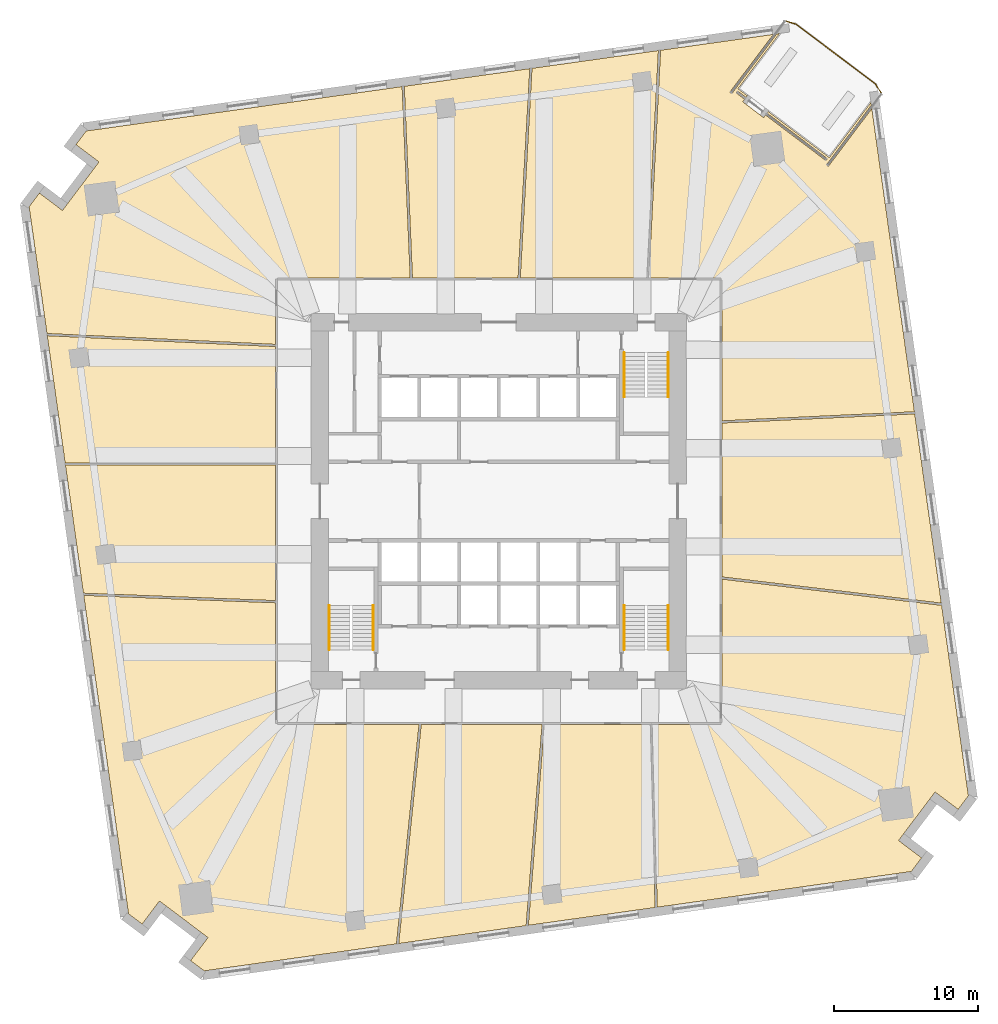
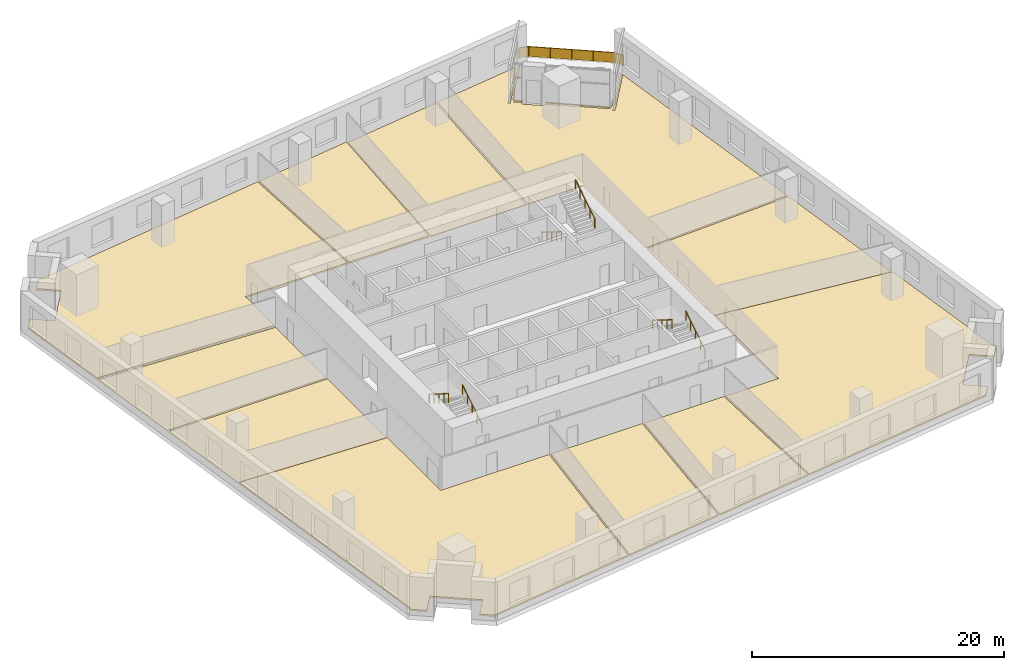
# One storey, part 11 of 12: 11 coverings, 7 railings.
"""IFC4 building model written with IfcOpenShell, lengths in metres."""

from ifc_helpers import new_model, si_unit, direction, frame, origin, origin_2d, place, context, subcontext, project, spatial, polyline, rectangle, circle, outline, extrude, material, layer, layer_set, type_object, element, save


model = new_model("IFC4")

# Units and contexts
model_context = context("Model", 3, precision=1e-05, world=origin(), true_north=direction((0.0, 1.0)))
body_context = subcontext(model_context, "Body", "Model", "MODEL_VIEW")
ifc_project = project(units=[si_unit("LENGTHUNIT", "METRE"), si_unit("AREAUNIT", "SQUARE_METRE"), si_unit("VOLUMEUNIT", "CUBIC_METRE"), si_unit("PLANEANGLEUNIT", "RADIAN"), si_unit("MASSUNIT", "GRAM", prefix="KILO")], contexts=[model_context])

# Site, building, storey
site_placement = place(None, origin())
site = spatial("IfcSite", under=ifc_project, at=site_placement, CompositionType="ELEMENT")
building_placement = place(site_placement, origin())
building = spatial("IfcBuilding", under=site, at=building_placement, Name="Dilmun Exchange Tower", CompositionType="ELEMENT")
storey_placement = place(building_placement, frame((0.0, 0.0, 55.5)))
storey = spatial("IfcBuildingStorey", under=building, at=storey_placement, Name="L12", CompositionType="ELEMENT", Elevation=55.5)

# Coverings
ifc_material_1 = material(Name="Carpet floor finish 50")
ifc_layer_1 = layer(ifc_material_1, 0.050048828125)
ifc_layer_set_1 = layer_set([ifc_layer_1], Name="Carpet floor finish 50")
covering_type_1 = type_object("IfcCoveringType", Name="Carpet floor finish 50", PredefinedType="FLOORING", material=ifc_layer_set_1)
covering_1_placement = place(storey_placement, origin())
element("IfcCovering", 1, at=covering_1_placement, inside=storey, type_object=covering_type_1, Name="Carpet floor finish 50 Settlement office", PredefinedType="FLOORING", context=body_context, shape_type="SweptSolid", body=[
    extrude(outline(polyline([(-15.47509765625, 10.721923828125), (-15.47509765625, 2.64697265625), (-30.0595703125, 2.651611328125), (-31.299560546875, 11.474609375), (-15.47509765625, 10.721923828125)])), origin(), (0.0, 0.0, 1.0), 0.050048828125),
])
covering_2_placement = place(storey_placement, origin())
element("IfcCovering", 2, at=covering_2_placement, inside=storey, type_object=covering_type_1, Name="Carpet floor finish 50 Broker office", PredefinedType="FLOORING", context=body_context, shape_type="SweptSolid", body=[
    extrude(outline(polyline([(-15.47509765625, 2.4970703125), (-15.47509765625, -6.889892578125), (-28.791015625, -6.373779296875), (-30.03857421875, 2.50146484375), (-15.47509765625, 2.4970703125)])), origin(), (0.0, 0.0, 1.0), 0.050048828125),
])
covering_3_placement = place(storey_placement, origin())
element("IfcCovering", 3, at=covering_3_placement, inside=storey, type_object=covering_type_1, Name="Carpet floor finish 50 Clearing office 1", PredefinedType="FLOORING", context=body_context, shape_type="SweptSolid", body=[
    extrude(outline(polyline([(1.488525390625, 15.47509765625), (2.30322265625, 30.010498046875), (11.066650390625, 31.2421875), (10.24658203125, 15.47509765625), (1.488525390625, 15.47509765625)])), origin(), (0.0, 0.0, 1.0), 0.050048828125),
])
covering_4_placement = place(storey_placement, origin())
element("IfcCovering", 4, at=covering_4_placement, inside=storey, type_object=covering_type_1, Name="Carpet floor finish 50 Garden lounge", PredefinedType="FLOORING", context=body_context, shape_type="SweptSolid", body=[
    extrude(outline(polyline([(16.583251953125, 28.593505859375), (17.231689453125, 28.104736328125), (17.145751953125, 27.990478515625), (16.556884765625, 28.43408203125), (16.556884765625, 28.434326171875), (16.556640625, 28.434326171875), (16.556396484375, 28.4345703125), (16.556396484375, 28.4345703125), (16.55615234375, 28.4345703125), (16.555908203125, 28.4345703125), (16.555908203125, 28.4345703125), (16.5556640625, 28.4345703125), (16.555419921875, 28.4345703125), (16.55517578125, 28.4345703125), (16.554931640625, 28.434326171875), (16.5546875, 28.434326171875), (16.5546875, 28.43408203125), (16.554443359375, 28.43408203125), (16.554443359375, 28.433837890625), (16.55419921875, 28.433837890625), (16.4580078125, 28.305908203125), (16.457763671875, 28.305908203125), (16.457763671875, 28.3056640625), (16.457763671875, 28.305419921875), (16.45751953125, 28.305419921875), (16.45751953125, 28.30517578125), (16.45751953125, 28.304931640625), (16.45751953125, 28.3046875), (16.45751953125, 28.304443359375), (16.45751953125, 28.30419921875), (16.457763671875, 28.30419921875), (16.457763671875, 28.303955078125), (16.457763671875, 28.3037109375), (16.4580078125, 28.3037109375), (16.4580078125, 28.303466796875), (16.458251953125, 28.30322265625), (16.45849609375, 28.30322265625), (17.047119140625, 27.859619140625), (16.916015625, 27.685546875), (16.915771484375, 27.685302734375), (16.915771484375, 27.685302734375), (16.91552734375, 27.68505859375), (16.91552734375, 27.684814453125), (16.91552734375, 27.6845703125), (16.91552734375, 27.684326171875), (16.91552734375, 27.68408203125), (16.91552734375, 27.68408203125), (16.91552734375, 27.683837890625), (16.91552734375, 27.68359375), (16.91552734375, 27.68359375), (16.915771484375, 27.683349609375), (16.915771484375, 27.68310546875), (16.916015625, 27.68310546875), (16.916015625, 27.682861328125), (16.916259765625, 27.6826171875), (18.353759765625, 26.599609375), (18.35400390625, 26.599365234375), (18.35400390625, 26.599365234375), (18.354248046875, 26.59912109375), (18.3544921875, 26.59912109375), (18.354736328125, 26.59912109375), (18.354736328125, 26.59912109375), (18.35498046875, 26.59912109375), (18.355224609375, 26.59912109375), (18.35546875, 26.59912109375), (18.355712890625, 26.59912109375), (18.355712890625, 26.599365234375), (18.35595703125, 26.599365234375), (18.356201171875, 26.599609375), (18.356201171875, 26.599609375), (18.3564453125, 26.599853515625), (18.356689453125, 26.599853515625), (18.48779296875, 26.77392578125), (22.67041015625, 23.622314453125), (22.67041015625, 23.6220703125), (22.670654296875, 23.6220703125), (22.6708984375, 23.621826171875), (22.6708984375, 23.621826171875), (22.671142578125, 23.621826171875), (22.67138671875, 23.621826171875), (22.67138671875, 23.621826171875), (22.671630859375, 23.621826171875), (22.671875, 23.621826171875), (22.672119140625, 23.621826171875), (22.67236328125, 23.6220703125), (22.672607421875, 23.6220703125), (22.672607421875, 23.622314453125), (22.6728515625, 23.622314453125), (22.6728515625, 23.62255859375), (22.673095703125, 23.62255859375), (22.769287109375, 23.75048828125), (22.76953125, 23.75048828125), (22.76953125, 23.750732421875), (22.76953125, 23.7509765625), (22.769775390625, 23.751220703125), (22.769775390625, 23.751220703125), (22.769775390625, 23.75146484375), (22.769775390625, 23.751708984375), (22.769775390625, 23.751953125), (22.769775390625, 23.752197265625), (22.76953125, 23.752197265625), (22.76953125, 23.75244140625), (22.76953125, 23.752685546875), (22.769287109375, 23.752685546875), (22.769287109375, 23.7529296875), (22.76904296875, 23.753173828125), (22.768798828125, 23.753173828125), (18.58642578125, 26.905029296875), (18.672607421875, 27.019287109375), (22.914794921875, 23.822265625), (25.80078125, 27.65185546875), (25.828857421875, 27.451416015625), (22.713134765625, 23.31689453125), (22.713134765625, 23.31689453125), (22.712890625, 23.316650390625), (22.712890625, 23.31640625), (22.712890625, 23.316162109375), (22.712890625, 23.316162109375), (22.712890625, 23.31591796875), (22.712890625, 23.315673828125), (22.712890625, 23.3154296875), (22.712890625, 23.315185546875), (22.712890625, 23.315185546875), (22.712890625, 23.31494140625), (22.713134765625, 23.314697265625), (22.713134765625, 23.314697265625), (22.71337890625, 23.314453125), (22.71337890625, 23.314208984375), (22.713623046875, 23.314208984375), (22.84130859375, 23.218017578125), (22.841552734375, 23.2177734375), (22.841796875, 23.2177734375), (22.841796875, 23.217529296875), (22.842041015625, 23.217529296875), (22.84228515625, 23.217529296875), (22.842529296875, 23.217529296875), (22.8427734375, 23.217529296875), (22.843017578125, 23.217529296875), (22.843017578125, 23.217529296875), (22.84326171875, 23.217529296875), (22.843505859375, 23.217529296875), (22.843505859375, 23.2177734375), (22.84375, 23.2177734375), (22.843994140625, 23.218017578125), (22.843994140625, 23.218017578125), (22.84423828125, 23.21826171875), (25.861083984375, 27.2216796875), (28.815185546875, 6.2021484375), (15.47509765625, 5.57177734375), (15.47509765625, 15.47509765625), (10.396728515625, 15.47509765625), (11.218017578125, 31.263427734375), (19.0390625, 32.36279296875), (16.022216796875, 28.35888671875), (16.02197265625, 28.35888671875), (16.02197265625, 28.358642578125), (16.021728515625, 28.3583984375), (16.021728515625, 28.3583984375), (16.021728515625, 28.358154296875), (16.021728515625, 28.35791015625), (16.021728515625, 28.35791015625), (16.021728515625, 28.357666015625), (16.021728515625, 28.357421875), (16.021728515625, 28.357177734375), (16.02197265625, 28.35693359375), (16.02197265625, 28.356689453125), (16.022216796875, 28.356689453125), (16.022216796875, 28.3564453125), (16.0224609375, 28.3564453125), (16.0224609375, 28.356201171875), (16.150390625, 28.260009765625), (16.150390625, 28.259765625), (16.150634765625, 28.259765625), (16.15087890625, 28.259765625), (16.15087890625, 28.259521484375), (16.151123046875, 28.259521484375), (16.1513671875, 28.259521484375), (16.151611328125, 28.259521484375), (16.15185546875, 28.259521484375), (16.152099609375, 28.259521484375), (16.152099609375, 28.259765625), (16.15234375, 28.259765625), (16.152587890625, 28.259765625), (16.152587890625, 28.260009765625), (16.15283203125, 28.260009765625), (16.153076171875, 28.26025390625), (16.153076171875, 28.260498046875), (19.268798828125, 32.39501953125), (19.468994140625, 32.423095703125), (16.583251953125, 28.593505859375)])), origin(), (0.0, 0.0, 1.0), 0.050048828125),
])
covering_5_placement = place(storey_placement, origin())
element("IfcCovering", 5, at=covering_5_placement, inside=storey, type_object=covering_type_1, Name="Carpet floor finish 50 Clearing office 2", PredefinedType="FLOORING", context=body_context, shape_type="SweptSolid", body=[
    extrude(outline(polyline([(15.47509765625, -5.24755859375), (15.47509765625, 5.421630859375), (28.836181640625, 6.052978515625), (30.679443359375, -7.06298828125), (15.47509765625, -5.24755859375)])), origin(), (0.0, 0.0, 1.0), 0.050048828125),
])
ifc_material_2 = material(Name="Raised access floor 150")
ifc_layer_2 = layer(ifc_material_2, 0.14990234375)
ifc_layer_set_2 = layer_set([ifc_layer_2], Name="Raised access floor 150")
covering_type_2 = type_object("IfcCoveringType", Name="Raised access floor 150", PredefinedType="FLOORING", material=ifc_layer_set_2)
covering_6_placement = place(storey_placement, origin())
element("IfcCovering", 6, at=covering_6_placement, inside=storey, type_object=covering_type_2, Name="Raised access floor 150 Market operations room 1", PredefinedType="FLOORING", context=body_context, shape_type="SweptSolid", body=[
    extrude(outline(polyline([(-6.13525390625, 15.47509765625), (-15.47509765625, 15.47509765625), (-15.47509765625, 10.8720703125), (-31.32080078125, 11.625732421875), (-32.556396484375, 20.41845703125), (-31.843994140625, 21.364013671875), (-30.248291015625, 20.16162109375), (-30.248046875, 20.16162109375), (-30.247802734375, 20.161376953125), (-30.24755859375, 20.161376953125), (-30.247314453125, 20.161376953125), (-30.247314453125, 20.1611328125), (-30.2470703125, 20.1611328125), (-30.246826171875, 20.1611328125), (-30.24658203125, 20.1611328125), (-30.24658203125, 20.161376953125), (-30.246337890625, 20.161376953125), (-30.24609375, 20.161376953125), (-30.245849609375, 20.16162109375), (-30.245849609375, 20.16162109375), (-30.24560546875, 20.16162109375), (-30.24560546875, 20.161865234375), (-30.245361328125, 20.162109375), (-29.88427734375, 20.64111328125), (-29.884033203125, 20.641357421875), (-29.884033203125, 20.6416015625), (-29.884033203125, 20.6416015625), (-29.884033203125, 20.6416015625), (-28.078857421875, 23.037109375), (-28.07861328125, 23.037353515625), (-27.7177734375, 23.516357421875), (-27.717529296875, 23.516357421875), (-27.717529296875, 23.5166015625), (-27.717529296875, 23.516845703125), (-27.71728515625, 23.51708984375), (-27.71728515625, 23.51708984375), (-27.71728515625, 23.517333984375), (-27.71728515625, 23.517578125), (-27.71728515625, 23.517822265625), (-27.71728515625, 23.51806640625), (-27.717529296875, 23.51806640625), (-27.717529296875, 23.518310546875), (-27.717529296875, 23.5185546875), (-27.7177734375, 23.518798828125), (-27.718017578125, 23.518798828125), (-27.718017578125, 23.51904296875), (-27.718017578125, 23.51904296875), (-29.313720703125, 24.7216796875), (-28.601318359375, 25.667236328125), (-6.699951171875, 28.745361328125), (-6.13525390625, 15.47509765625)])), origin(), (0.0, 0.0, 1.0), 0.14990234375),
])
covering_7_placement = place(storey_placement, origin())
element("IfcCovering", 7, at=covering_7_placement, inside=storey, type_object=covering_type_2, Name="Raised access floor 150 Market operations room 2", PredefinedType="FLOORING", context=body_context, shape_type="SweptSolid", body=[
    extrude(outline(polyline([(-15.47509765625, -7.0400390625), (-15.47509765625, -15.47509765625), (-5.526123046875, -15.47509765625), (-7.09130859375, -30.68359375), (-20.41845703125, -32.556396484375), (-21.364013671875, -31.843994140625), (-20.16162109375, -30.248291015625), (-20.16162109375, -30.248046875), (-20.161376953125, -30.247802734375), (-20.161376953125, -30.24755859375), (-20.161376953125, -30.247314453125), (-20.1611328125, -30.247314453125), (-20.1611328125, -30.2470703125), (-20.1611328125, -30.246826171875), (-20.1611328125, -30.24658203125), (-20.161376953125, -30.24658203125), (-20.161376953125, -30.246337890625), (-20.161376953125, -30.24609375), (-20.16162109375, -30.245849609375), (-20.16162109375, -30.245849609375), (-20.16162109375, -30.24560546875), (-20.161865234375, -30.24560546875), (-20.162109375, -30.245361328125), (-20.64111328125, -29.88427734375), (-20.641357421875, -29.884033203125), (-20.6416015625, -29.884033203125), (-20.6416015625, -29.884033203125), (-20.6416015625, -29.884033203125), (-23.037109375, -28.078857421875), (-23.037353515625, -28.07861328125), (-23.516357421875, -27.7177734375), (-23.516357421875, -27.717529296875), (-23.5166015625, -27.717529296875), (-23.516845703125, -27.717529296875), (-23.51708984375, -27.71728515625), (-23.51708984375, -27.71728515625), (-23.517333984375, -27.71728515625), (-23.517578125, -27.71728515625), (-23.517822265625, -27.71728515625), (-23.51806640625, -27.71728515625), (-23.51806640625, -27.717529296875), (-23.518310546875, -27.717529296875), (-23.5185546875, -27.717529296875), (-23.518798828125, -27.7177734375), (-23.518798828125, -27.718017578125), (-23.51904296875, -27.718017578125), (-23.51904296875, -27.718017578125), (-24.7216796875, -29.313720703125), (-25.667236328125, -28.601318359375), (-28.77001953125, -6.524658203125), (-15.47509765625, -7.0400390625)])), origin(), (0.0, 0.0, 1.0), 0.14990234375),
])
covering_8_placement = place(storey_placement, origin())
element("IfcCovering", 8, at=covering_8_placement, inside=storey, type_object=covering_type_2, Name="Raised access floor 150 Control room", PredefinedType="FLOORING", context=body_context, shape_type="SweptSolid", body=[
    extrude(outline(polyline([(1.33837890625, 15.47509765625), (-5.985107421875, 15.47509765625), (-6.55078125, 28.76611328125), (2.15185546875, 29.9892578125), (1.33837890625, 15.47509765625)])), origin(), (0.0, 0.0, 1.0), 0.14990234375),
])
covering_9_placement = place(storey_placement, origin())
element("IfcCovering", 9, at=covering_9_placement, inside=storey, type_object=covering_type_2, Name="Raised access floor 150 Data room 1", PredefinedType="FLOORING", context=body_context, shape_type="SweptSolid", body=[
    extrude(outline(polyline([(-5.375244140625, -15.47509765625), (3.004150390625, -15.47509765625), (1.896728515625, -29.42041015625), (-6.9384765625, -30.662109375), (-5.375244140625, -15.47509765625)])), origin(), (0.0, 0.0, 1.0), 0.14990234375),
])
covering_10_placement = place(storey_placement, origin())
element("IfcCovering", 10, at=covering_10_placement, inside=storey, type_object=covering_type_2, Name="Raised access floor 150 Data room 2", PredefinedType="FLOORING", context=body_context, shape_type="SweptSolid", body=[
    extrude(outline(polyline([(3.15478515625, -15.47509765625), (10.491455078125, -15.47509765625), (10.8359375, -28.1640625), (2.049072265625, -29.39892578125), (3.15478515625, -15.47509765625)])), origin(), (0.0, 0.0, 1.0), 0.14990234375),
])
covering_11_placement = place(storey_placement, origin())
element("IfcCovering", 11, at=covering_11_placement, inside=storey, type_object=covering_type_2, Name="Raised access floor 150 Market operations room 3", PredefinedType="FLOORING", context=body_context, shape_type="SweptSolid", body=[
    extrude(outline(polyline([(10.641357421875, -15.47509765625), (15.47509765625, -15.47509765625), (15.47509765625, -5.398681640625), (30.701171875, -7.216552734375), (32.556396484375, -20.41845703125), (31.843994140625, -21.364013671875), (30.248291015625, -20.16162109375), (30.248046875, -20.16162109375), (30.247802734375, -20.161376953125), (30.24755859375, -20.161376953125), (30.247314453125, -20.161376953125), (30.247314453125, -20.1611328125), (30.2470703125, -20.1611328125), (30.246826171875, -20.1611328125), (30.24658203125, -20.1611328125), (30.24658203125, -20.161376953125), (30.246337890625, -20.161376953125), (30.24609375, -20.161376953125), (30.245849609375, -20.16162109375), (30.245849609375, -20.16162109375), (30.24560546875, -20.16162109375), (30.24560546875, -20.161865234375), (30.245361328125, -20.162109375), (29.88427734375, -20.64111328125), (29.884033203125, -20.641357421875), (29.884033203125, -20.6416015625), (29.884033203125, -20.6416015625), (29.884033203125, -20.6416015625), (28.078857421875, -23.037109375), (28.07861328125, -23.037353515625), (27.7177734375, -23.516357421875), (27.717529296875, -23.516357421875), (27.717529296875, -23.5166015625), (27.717529296875, -23.516845703125), (27.71728515625, -23.51708984375), (27.71728515625, -23.51708984375), (27.71728515625, -23.517333984375), (27.71728515625, -23.517578125), (27.71728515625, -23.517822265625), (27.71728515625, -23.51806640625), (27.717529296875, -23.51806640625), (27.717529296875, -23.518310546875), (27.717529296875, -23.5185546875), (27.7177734375, -23.518798828125), (27.718017578125, -23.518798828125), (27.718017578125, -23.51904296875), (27.718017578125, -23.51904296875), (29.313720703125, -24.7216796875), (28.601318359375, -25.667236328125), (10.985595703125, -28.14306640625), (10.641357421875, -15.47509765625)])), origin(), (0.0, 0.0, 1.0), 0.14990234375),
])

# Railings
ifc_material_3 = material(Name="Stainless steel", Category="steel")
railing_type_1 = type_object("IfcRailingType", Name="Stair handrail 900", PredefinedType="HANDRAIL", material=ifc_material_3)
railing_1_placement = place(storey_placement, frame((8.699951171875, 10.300048828125, 0.175048828125)))
element("IfcRailing", 12, at=railing_1_placement, inside=storey, type_object=railing_type_1, Name="L12 ST1 stair handrail 1", PredefinedType="HANDRAIL", context=body_context, shape_type="SweptSolid", body=[
    extrude(circle(Radius=0.02392578125, at=origin_2d()), frame((0.0, 0.0, 0.8759765625), z_axis=(0.0, -0.847998304005, 0.529998940003), x_axis=(1.0, 0.0, 0.0)), (0.0, 0.0, 1.0), 3.632080078125),
    extrude(circle(Radius=0.02099609375, at=origin_2d()), origin(), (0.0, 0.0, 1.0), 0.851806640625),
    extrude(circle(Radius=0.02099609375, at=origin_2d()), frame((0.0, -0.77001953125, 0.481201171875)), (0.0, 0.0, 1.0), 0.851806640625),
    extrude(circle(Radius=0.02099609375, at=origin_2d()), frame((0.0, -1.5400390625, 0.96240234375)), (0.0, 0.0, 1.0), 0.851806640625),
    extrude(circle(Radius=0.02099609375, at=origin_2d()), frame((0.0, -2.31005859375, 1.44384765625)), (0.0, 0.0, 1.0), 0.851806640625),
    extrude(circle(Radius=0.02099609375, at=origin_2d()), frame((0.0, -3.080078125, 1.925048828125)), (0.0, 0.0, 1.0), 0.851806640625),
])
for number, where, name in (
    (13, (11.75, 7.219970703125, 2.27490234375), "L12 ST1 stair handrail 2"),
    (14, (-8.699951171875, -10.300048828125, 0.175048828125), "L12 ST2 stair handrail 1"),
):
    element("IfcRailing", number, at=place(storey_placement, frame(where)), inside=storey, type_object=railing_type_1, Name=name, PredefinedType="HANDRAIL", context=body_context, shape_type="SweptSolid", body=[
        extrude(circle(Radius=0.02392578125, at=origin_2d()), frame((0.0, 0.0, 0.8759765625), z_axis=(0.0, 0.847998304005, 0.529998940003), x_axis=(-1.0, 0.0, 0.0)), (0.0, 0.0, 1.0), 3.632080078125),
        extrude(circle(Radius=0.02099609375, at=origin_2d()), origin(), (0.0, 0.0, 1.0), 0.851806640625),
        extrude(circle(Radius=0.02099609375, at=origin_2d()), frame((0.0, 0.77001953125, 0.481201171875)), (0.0, 0.0, 1.0), 0.851806640625),
        extrude(circle(Radius=0.02099609375, at=origin_2d()), frame((0.0, 1.5400390625, 0.96240234375)), (0.0, 0.0, 1.0), 0.851806640625),
        extrude(circle(Radius=0.02099609375, at=origin_2d()), frame((0.0, 2.31005859375, 1.44384765625)), (0.0, 0.0, 1.0), 0.851806640625),
        extrude(circle(Radius=0.02099609375, at=origin_2d()), frame((0.0, 3.080078125, 1.925048828125)), (0.0, 0.0, 1.0), 0.851806640625),
    ])
railing_2_placement = place(storey_placement, frame((-11.75, -7.219970703125, 2.27490234375)))
element("IfcRailing", 15, at=railing_2_placement, inside=storey, type_object=railing_type_1, Name="L12 ST2 stair handrail 2", PredefinedType="HANDRAIL", context=body_context, shape_type="SweptSolid", body=[
    extrude(circle(Radius=0.02392578125, at=origin_2d()), frame((0.0, 0.0, 0.8759765625), z_axis=(0.0, -0.847998304005, 0.529998940003), x_axis=(1.0, 0.0, 0.0)), (0.0, 0.0, 1.0), 3.632080078125),
    extrude(circle(Radius=0.02099609375, at=origin_2d()), origin(), (0.0, 0.0, 1.0), 0.851806640625),
    extrude(circle(Radius=0.02099609375, at=origin_2d()), frame((0.0, -0.77001953125, 0.481201171875)), (0.0, 0.0, 1.0), 0.851806640625),
    extrude(circle(Radius=0.02099609375, at=origin_2d()), frame((0.0, -1.5400390625, 0.96240234375)), (0.0, 0.0, 1.0), 0.851806640625),
    extrude(circle(Radius=0.02099609375, at=origin_2d()), frame((0.0, -2.31005859375, 1.44384765625)), (0.0, 0.0, 1.0), 0.851806640625),
    extrude(circle(Radius=0.02099609375, at=origin_2d()), frame((0.0, -3.080078125, 1.925048828125)), (0.0, 0.0, 1.0), 0.851806640625),
])
railing_3_placement = place(storey_placement, frame((11.75, -10.300048828125, 0.175048828125)))
element("IfcRailing", 16, at=railing_3_placement, inside=storey, type_object=railing_type_1, Name="L12 ST3 stair handrail 1", PredefinedType="HANDRAIL", context=body_context, shape_type="SweptSolid", body=[
    extrude(circle(Radius=0.02392578125, at=origin_2d()), frame((0.0, 0.0, 0.8759765625), z_axis=(0.0, 0.847998304005, 0.529998940003), x_axis=(-1.0, 0.0, 0.0)), (0.0, 0.0, 1.0), 3.632080078125),
    extrude(circle(Radius=0.02099609375, at=origin_2d()), origin(), (0.0, 0.0, 1.0), 0.851806640625),
    extrude(circle(Radius=0.02099609375, at=origin_2d()), frame((0.0, 0.77001953125, 0.481201171875)), (0.0, 0.0, 1.0), 0.851806640625),
    extrude(circle(Radius=0.02099609375, at=origin_2d()), frame((0.0, 1.5400390625, 0.96240234375)), (0.0, 0.0, 1.0), 0.851806640625),
    extrude(circle(Radius=0.02099609375, at=origin_2d()), frame((0.0, 2.31005859375, 1.44384765625)), (0.0, 0.0, 1.0), 0.851806640625),
    extrude(circle(Radius=0.02099609375, at=origin_2d()), frame((0.0, 3.080078125, 1.925048828125)), (0.0, 0.0, 1.0), 0.851806640625),
])
railing_4_placement = place(storey_placement, frame((8.699951171875, -7.219970703125, 2.27490234375)))
element("IfcRailing", 17, at=railing_4_placement, inside=storey, type_object=railing_type_1, Name="L12 ST3 stair handrail 2", PredefinedType="HANDRAIL", context=body_context, shape_type="SweptSolid", body=[
    extrude(circle(Radius=0.02392578125, at=origin_2d()), frame((0.0, 0.0, 0.8759765625), z_axis=(0.0, -0.847998304005, 0.529998940003), x_axis=(1.0, 0.0, 0.0)), (0.0, 0.0, 1.0), 3.632080078125),
    extrude(circle(Radius=0.02099609375, at=origin_2d()), origin(), (0.0, 0.0, 1.0), 0.851806640625),
    extrude(circle(Radius=0.02099609375, at=origin_2d()), frame((0.0, -0.77001953125, 0.481201171875)), (0.0, 0.0, 1.0), 0.851806640625),
    extrude(circle(Radius=0.02099609375, at=origin_2d()), frame((0.0, -1.5400390625, 0.96240234375)), (0.0, 0.0, 1.0), 0.851806640625),
    extrude(circle(Radius=0.02099609375, at=origin_2d()), frame((0.0, -2.31005859375, 1.44384765625)), (0.0, 0.0, 1.0), 0.851806640625),
    extrude(circle(Radius=0.02099609375, at=origin_2d()), frame((0.0, -3.080078125, 1.925048828125)), (0.0, 0.0, 1.0), 0.851806640625),
])
railing_type_2 = type_object("IfcRailingType", Name="Terrace guard 1100 stainless steel", PredefinedType="GUARDRAIL", material=ifc_material_3)
railing_5_placement = place(storey_placement, frame((19.8466796875, 33.29833984375, 0.0)))
element("IfcRailing", 18, at=railing_5_placement, inside=storey, type_object=railing_type_2, Name="Terrace guard 1", PredefinedType="GUARDRAIL", context=body_context, shape_type="SweptSolid", body=[
    extrude(circle(Radius=0.02392578125, at=origin_2d()), frame((0.0, 0.0, 1.076171875), z_axis=(0.95791927712, -0.287037730135, 0.0), x_axis=(0.287037730135, 0.95791927712, 0.0)), (0.0, 0.0, 1.0), 0.79443359375),
    extrude(rectangle(XDim=0.011962890625, YDim=0.951904296875, at=origin_2d()), frame((0.0, 0.0, 0.576171875), z_axis=(0.95791927712, -0.287037730135, 0.0), x_axis=(0.287037730135, 0.95791927712, 0.0)), (0.0, 0.0, 1.0), 0.79443359375),
    extrude(circle(Radius=0.02392578125, at=origin_2d()), frame((0.760986328125, -0.22802734375, 1.076171875), z_axis=(0.79863267221, -0.601818789071, 0.0), x_axis=(0.601818789071, 0.79863267221, 0.0)), (0.0, 0.0, 1.0), 6.88818359375),
    extrude(rectangle(XDim=0.011962890625, YDim=0.951904296875, at=origin_2d()), frame((0.760986328125, -0.22802734375, 0.576171875), z_axis=(0.79863267221, -0.601818789071, 0.0), x_axis=(0.601818789071, 0.79863267221, 0.0)), (0.0, 0.0, 1.0), 6.88818359375),
    extrude(circle(Radius=0.02392578125, at=origin_2d()), frame((6.26220703125, -4.37353515625, 1.076171875), z_axis=(0.539934155481, -0.841707257748, 0.0), x_axis=(0.841707257748, 0.539934155481, 0.0)), (0.0, 0.0, 1.0), 0.79443359375),
    extrude(rectangle(XDim=0.011962890625, YDim=0.951904296875, at=origin_2d()), frame((6.26220703125, -4.37353515625, 0.576171875), z_axis=(0.539934155481, -0.841707257748, 0.0), x_axis=(0.841707257748, 0.539934155481, 0.0)), (0.0, 0.0, 1.0), 0.79443359375),
    extrude(circle(Radius=0.02099609375, at=origin_2d()), origin(), (0.0, 0.0, 1.0), 1.052001953125),
    extrude(circle(Radius=0.02099609375, at=origin_2d()), frame((0.760986328125, -0.22802734375, 0.0)), (0.0, 0.0, 1.0), 1.052001953125),
    extrude(circle(Radius=0.02099609375, at=origin_2d()), frame((2.13623046875, -1.264404296875, 0.0)), (0.0, 0.0, 1.0), 1.052001953125),
    extrude(circle(Radius=0.02099609375, at=origin_2d()), frame((3.51171875, -2.30078125, 0.0)), (0.0, 0.0, 1.0), 1.052001953125),
    extrude(circle(Radius=0.02099609375, at=origin_2d()), frame((4.886962890625, -3.337158203125, 0.0)), (0.0, 0.0, 1.0), 1.052001953125),
    extrude(circle(Radius=0.02099609375, at=origin_2d()), frame((6.26220703125, -4.37353515625, 0.0)), (0.0, 0.0, 1.0), 1.052001953125),
    extrude(circle(Radius=0.02099609375, at=origin_2d()), frame((6.691162109375, -5.042236328125, 0.0)), (0.0, 0.0, 1.0), 1.052001953125),
])

save(model, "model.ifc")
